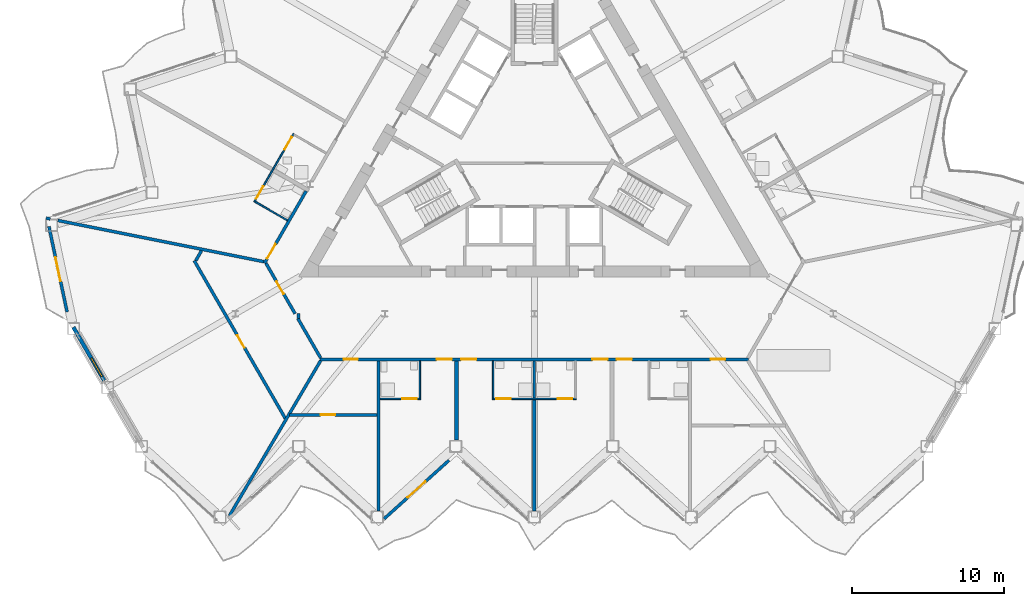
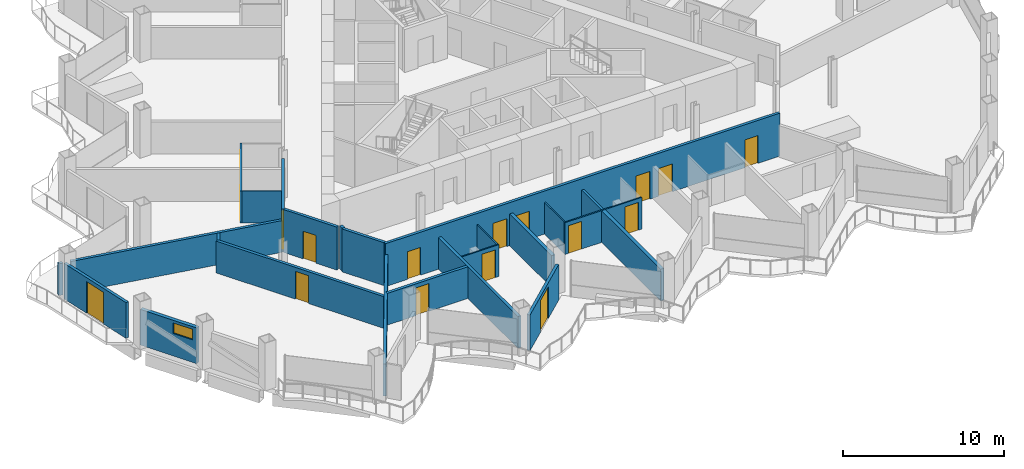
# One storey, part 10 of 23: 24 walls, 17 doors, 1 window, 18 openings.
"""IFC4 building model written with IfcOpenShell, lengths in metres."""

from ifc_helpers import new_model, si_unit, direction, frame, frame_2d, origin, place, context, subcontext, project, spatial, rectangle, extrude, material, layer, layer_set, type_object, element, fill, save


model = new_model("IFC4")

# Units and contexts
model_context = context("Model", 3, precision=1e-05, world=origin(), true_north=direction((0.0, 1.0)))
body_context = subcontext(model_context, "Body", "Model", "MODEL_VIEW")
ifc_project = project(units=[si_unit("LENGTHUNIT", "METRE"), si_unit("AREAUNIT", "SQUARE_METRE"), si_unit("VOLUMEUNIT", "CUBIC_METRE"), si_unit("PLANEANGLEUNIT", "RADIAN"), si_unit("MASSUNIT", "GRAM", prefix="KILO")], contexts=[model_context])

# Site, building, storey
site_placement = place(None, origin())
site = spatial("IfcSite", under=ifc_project, at=site_placement, CompositionType="ELEMENT")
building_placement = place(site_placement, origin())
building = spatial("IfcBuilding", under=site, at=building_placement, Name="Cormorant Prow Tower", CompositionType="ELEMENT")
storey_placement = place(building_placement, frame((0.0, 0.0, 169.199951171875)))
storey = spatial("IfcBuildingStorey", under=building, at=storey_placement, Name="L35", CompositionType="ELEMENT", Elevation=169.199951171875)

# Wall, openings, doors
ifc_material_1 = material(Name="Gypsum board corridor wall")
ifc_layer_1 = layer(ifc_material_1, 0.199951171875)
ifc_layer_set_1 = layer_set([ifc_layer_1], Name="Gypsum board corridor wall")
wall_type_1 = type_object("IfcWallType", Name="Corridor wall 200", PredefinedType="PARTITIONING", material=ifc_layer_set_1)
wall_1_placement = place(storey_placement, frame((-14.098876953125, -14.348876953125, 0.0), z_axis=(0.0, 0.0, 1.0), x_axis=(1.0, 0.0, 0.0)))
wall_1 = element("IfcWall", 1, at=wall_1_placement, inside=storey, type_object=wall_type_1, Name="Corridor wall", PredefinedType="PARTITIONING", context=body_context, shape_type="SweptSolid", body=[
    extrude(rectangle(XDim=28.19775390625, YDim=0.199951171875, at=frame_2d((14.098876953125, 0.0))), origin(), (0.0, 0.0, 1.0), 3.25),
])
opening_1_placement = place(wall_1_placement, frame((1.55224609375, 0.0, 0.0)))
opening_1 = element("IfcOpeningElement", 2, at=opening_1_placement, cuts=wall_1, Name="Opening L35-F01", PredefinedType="OPENING", context=body_context, shape_type="SweptSolid", body=[
    extrude(rectangle(XDim=0.949951171875, YDim=2.10009765625, at=frame_2d((0.47509765625, 1.050048828125))), frame((0.0, 0.10986328125, 0.0), z_axis=(0.0, -1.0, 0.0), x_axis=(1.0, 0.0, 0.0)), (0.0, 0.0, 1.0), 0.219970703125),
])
opening_2_placement = place(wall_1_placement, frame((7.67724609375, 0.0, 0.0)))
opening_2 = element("IfcOpeningElement", 3, at=opening_2_placement, cuts=wall_1, Name="Opening L35-F03", PredefinedType="OPENING", context=body_context, shape_type="SweptSolid", body=[
    extrude(rectangle(XDim=1.0, YDim=2.10009765625, at=frame_2d((0.5, 1.050048828125))), frame((0.0, 0.10986328125, 0.0), z_axis=(0.0, -1.0, 0.0), x_axis=(1.0, 0.0, 0.0)), (0.0, 0.0, 1.0), 0.219970703125),
])
opening_3_placement = place(wall_1_placement, frame((9.283203125, 0.0, 0.0)))
opening_3 = element("IfcOpeningElement", 4, at=opening_3_placement, cuts=wall_1, Name="Opening L35-F05", PredefinedType="OPENING", context=body_context, shape_type="SweptSolid", body=[
    extrude(rectangle(XDim=1.0, YDim=2.10009765625, at=frame_2d((0.5, 1.050048828125))), frame((0.0, 0.10986328125, 0.0), z_axis=(0.0, -1.0, 0.0), x_axis=(1.0, 0.0, 0.0)), (0.0, 0.0, 1.0), 0.219970703125),
])
opening_4_placement = place(wall_1_placement, frame((17.914794921875, 0.0, 0.0)))
opening_4 = element("IfcOpeningElement", 5, at=opening_4_placement, cuts=wall_1, Name="Opening L35-F07", PredefinedType="OPENING", context=body_context, shape_type="SweptSolid", body=[
    extrude(rectangle(XDim=1.0, YDim=2.10009765625, at=frame_2d((0.5, 1.050048828125))), frame((0.0, 0.10986328125, 0.0), z_axis=(0.0, -1.0, 0.0), x_axis=(1.0, 0.0, 0.0)), (0.0, 0.0, 1.0), 0.219970703125),
])
opening_5_placement = place(wall_1_placement, frame((19.5205078125, 0.0, 0.0)))
opening_5 = element("IfcOpeningElement", 6, at=opening_5_placement, cuts=wall_1, Name="Opening L35-F09", PredefinedType="OPENING", context=body_context, shape_type="SweptSolid", body=[
    extrude(rectangle(XDim=1.0, YDim=2.10009765625, at=frame_2d((0.5, 1.050048828125))), frame((0.0, 0.10986328125, 0.0), z_axis=(0.0, -1.0, 0.0), x_axis=(1.0, 0.0, 0.0)), (0.0, 0.0, 1.0), 0.219970703125),
])
opening_6_placement = place(wall_1_placement, frame((25.695556640625, 0.0, 0.0)))
opening_6 = element("IfcOpeningElement", 7, at=opening_6_placement, cuts=wall_1, Name="Opening L35-F11", PredefinedType="OPENING", context=body_context, shape_type="SweptSolid", body=[
    extrude(rectangle(XDim=0.949951171875, YDim=2.10009765625, at=frame_2d((0.47509765625, 1.050048828125))), frame((0.0, 0.10986328125, 0.0), z_axis=(0.0, -1.0, 0.0), x_axis=(1.0, 0.0, 0.0)), (0.0, 0.0, 1.0), 0.219970703125),
])
ifc_material_2 = material(Name="Timber door leaf", Category="wood")
door_type_1 = type_object("IfcDoorType", Name="Flat or room entrance door 1000x2100", OperationType="NOTDEFINED", PredefinedType="DOOR", material=ifc_material_2)
door_1_placement = place(opening_2_placement, origin())
door_1 = element("IfcDoor", 8, at=door_1_placement, inside=storey, type_object=door_type_1, Name="Guest room door", OperationType="SINGLE_SWING_RIGHT", OverallHeight=2.10009765625, OverallWidth=1.0, PredefinedType="DOOR", context=body_context, shape_type="SweptSolid", body=[
    extrude(rectangle(XDim=1.0, YDim=2.10009765625, at=frame_2d((0.5, 1.050048828125))), frame((0.0, 0.02490234375, 0.0), z_axis=(0.0, -1.0, 0.0), x_axis=(1.0, 0.0, 0.0)), (0.0, 0.0, 1.0), 0.050048828125),
])
fill(opening_2, door_1)
door_2_placement = place(opening_3_placement, origin())
door_2 = element("IfcDoor", 9, at=door_2_placement, inside=storey, type_object=door_type_1, Name="Guest room door", OperationType="SINGLE_SWING_LEFT", OverallHeight=2.10009765625, OverallWidth=1.0, PredefinedType="DOOR", context=body_context, shape_type="SweptSolid", body=[
    extrude(rectangle(XDim=1.0, YDim=2.10009765625, at=frame_2d((0.5, 1.050048828125))), frame((0.0, 0.02490234375, 0.0), z_axis=(0.0, -1.0, 0.0), x_axis=(1.0, 0.0, 0.0)), (0.0, 0.0, 1.0), 0.050048828125),
])
fill(opening_3, door_2)
door_3_placement = place(opening_4_placement, origin())
door_3 = element("IfcDoor", 10, at=door_3_placement, inside=storey, type_object=door_type_1, Name="Guest room door", OperationType="SINGLE_SWING_RIGHT", OverallHeight=2.10009765625, OverallWidth=1.0, PredefinedType="DOOR", context=body_context, shape_type="SweptSolid", body=[
    extrude(rectangle(XDim=1.0, YDim=2.10009765625, at=frame_2d((0.5, 1.050048828125))), frame((0.0, 0.02490234375, 0.0), z_axis=(0.0, -1.0, 0.0), x_axis=(1.0, 0.0, 0.0)), (0.0, 0.0, 1.0), 0.050048828125),
])
fill(opening_4, door_3)
door_4_placement = place(opening_5_placement, origin())
door_4 = element("IfcDoor", 11, at=door_4_placement, inside=storey, type_object=door_type_1, Name="Guest room door", OperationType="SINGLE_SWING_LEFT", OverallHeight=2.10009765625, OverallWidth=1.0, PredefinedType="DOOR", context=body_context, shape_type="SweptSolid", body=[
    extrude(rectangle(XDim=1.0, YDim=2.10009765625, at=frame_2d((0.5, 1.050048828125))), frame((0.0, 0.02490234375, 0.0), z_axis=(0.0, -1.0, 0.0), x_axis=(1.0, 0.0, 0.0)), (0.0, 0.0, 1.0), 0.050048828125),
])
fill(opening_5, door_4)
ifc_material_3 = material(Name="Timber door leaf", Category="wood")
door_type_2 = type_object("IfcDoorType", Name="Store door 950x2100", OperationType="NOTDEFINED", PredefinedType="DOOR", material=ifc_material_3)
door_5_placement = place(opening_1_placement, origin())
door_5 = element("IfcDoor", 12, at=door_5_placement, inside=storey, type_object=door_type_2, Name="Housekeeping room door", OperationType="SINGLE_SWING_LEFT", OverallHeight=2.10009765625, OverallWidth=0.949951171875, PredefinedType="DOOR", context=body_context, shape_type="SweptSolid", body=[
    extrude(rectangle(XDim=0.949951171875, YDim=2.10009765625, at=frame_2d((0.47509765625, 1.050048828125))), frame((0.0, 0.02490234375, 0.0), z_axis=(0.0, -1.0, 0.0), x_axis=(1.0, 0.0, 0.0)), (0.0, 0.0, 1.0), 0.050048828125),
])
fill(opening_1, door_5)
door_6_placement = place(opening_6_placement, origin())
door_6 = element("IfcDoor", 13, at=door_6_placement, inside=storey, type_object=door_type_2, Name="Luggage store door", OperationType="SINGLE_SWING_RIGHT", OverallHeight=2.10009765625, OverallWidth=0.949951171875, PredefinedType="DOOR", context=body_context, shape_type="SweptSolid", body=[
    extrude(rectangle(XDim=0.949951171875, YDim=2.10009765625, at=frame_2d((0.47509765625, 1.050048828125))), frame((0.0, 0.02490234375, 0.0), z_axis=(0.0, -1.0, 0.0), x_axis=(1.0, 0.0, 0.0)), (0.0, 0.0, 1.0), 0.050048828125),
])
fill(opening_6, door_6)

# Wall, opening, door
wall_2_placement = place(storey_placement, frame((-17.743896484375, -8.035400390625, 0.0), z_axis=(0.0, 0.0, 1.0), x_axis=(0.500007607708, 0.866021011428, 0.0)))
wall_2 = element("IfcWall", 14, at=wall_2_placement, inside=storey, type_object=wall_type_1, Name="Corridor wall", PredefinedType="PARTITIONING", context=body_context, shape_type="SweptSolid", body=[
    extrude(rectangle(XDim=5.484375, YDim=0.199951171875, at=frame_2d((2.7421875, 0.0))), origin(), (0.0, 0.0, 1.0), 3.25),
])
opening_7_placement = place(wall_2_placement, frame((0.352294921875, 0.0, 0.0)))
opening_7 = element("IfcOpeningElement", 15, at=opening_7_placement, cuts=wall_2, Name="Opening L35-F31", PredefinedType="OPENING", context=body_context, shape_type="SweptSolid", body=[
    extrude(rectangle(XDim=1.10009765625, YDim=2.10009765625, at=frame_2d((0.550048828125, 1.050048828125))), frame((0.0, 0.10986328125, 0.0), z_axis=(0.0, -1.0, 0.0), x_axis=(1.0, 0.0, 0.0)), (0.0, 0.0, 1.0), 0.219970703125),
])
ifc_material_4 = material(Name="Timber door leaf", Category="wood")
door_type_3 = type_object("IfcDoorType", Name="Suite entrance door 1100x2100", OperationType="NOTDEFINED", PredefinedType="DOOR", material=ifc_material_4)
door_7_placement = place(opening_7_placement, origin())
door_7 = element("IfcDoor", 16, at=door_7_placement, inside=storey, type_object=door_type_3, Name="Junior suite door", OperationType="SINGLE_SWING_LEFT", OverallHeight=2.10009765625, OverallWidth=1.10009765625, PredefinedType="DOOR", context=body_context, shape_type="SweptSolid", body=[
    extrude(rectangle(XDim=1.10009765625, YDim=2.10009765625, at=frame_2d((0.550048828125, 1.050048828125))), frame((0.0, 0.02490234375, 0.0), z_axis=(0.0, -1.0, 0.0), x_axis=(1.0, 0.0, 0.0)), (0.0, 0.0, 1.0), 0.050048828125),
])
fill(opening_7, door_7)

wall_3_placement = place(storey_placement, frame((-17.643798828125, -8.035400390625, 0.0), z_axis=(0.0, 0.0, 1.0), x_axis=(0.499961815444, -0.866047448526, 0.0)))
wall_3 = element("IfcWall", 17, at=wall_3_placement, inside=storey, type_object=wall_type_1, Name="Corridor wall", PredefinedType="PARTITIONING", context=body_context, shape_type="SweptSolid", body=[
    extrude(rectangle(XDim=3.825927734375, YDim=0.199951171875, at=frame_2d((1.9130859375, 0.0))), origin(), (0.0, 0.0, 1.0), 3.25),
])
opening_8_placement = place(wall_3_placement, frame((1.38623046875, 0.0, 0.0)))
opening_8 = element("IfcOpeningElement", 18, at=opening_8_placement, cuts=wall_3, Name="Opening L35-F33", PredefinedType="OPENING", context=body_context, shape_type="SweptSolid", body=[
    extrude(rectangle(XDim=0.949951171875, YDim=2.10009765625, at=frame_2d((0.47509765625, 1.050048828125))), frame((0.0, 0.10986328125, 0.0), z_axis=(0.0, -1.0, 0.0), x_axis=(1.0, 0.0, 0.0)), (0.0, 0.0, 1.0), 0.219970703125),
])
door_8_placement = place(opening_8_placement, origin())
door_8 = element("IfcDoor", 19, at=door_8_placement, inside=storey, type_object=door_type_2, Name="Housekeeping room door", OperationType="SINGLE_SWING_RIGHT", OverallHeight=2.10009765625, OverallWidth=0.949951171875, PredefinedType="DOOR", context=body_context, shape_type="SweptSolid", body=[
    extrude(rectangle(XDim=0.949951171875, YDim=2.10009765625, at=frame_2d((0.47509765625, 1.050048828125))), frame((0.0, 0.02490234375, 0.0), z_axis=(0.0, -1.0, 0.0), x_axis=(1.0, 0.0, 0.0)), (0.0, 0.0, 1.0), 0.050048828125),
])
fill(opening_8, door_8)

# Walls
wall_4_placement = place(storey_placement, frame((-15.550048828125, -11.662353515625, 0.0), z_axis=(0.0, 0.0, 1.0), x_axis=(0.500048608389, -0.865997337899, 0.0)))
element("IfcWall", 20, at=wall_4_placement, inside=storey, type_object=wall_type_1, Name="Corridor wall", PredefinedType="PARTITIONING", context=body_context, shape_type="SweptSolid", body=[
    extrude(rectangle(XDim=3.002197265625, YDim=0.199951171875, at=frame_2d((1.5009765625, 0.0))), origin(), (0.0, 0.0, 1.0), 3.25),
])
wall_5_placement = place(storey_placement, frame((-15.5, -11.64892578125, 0.0), z_axis=(0.0, 0.0, 1.0), x_axis=(0.0, 1.0, 0.0)))
element("IfcWall", 21, at=wall_5_placement, inside=storey, type_object=wall_type_1, Name="Corridor wall", PredefinedType="PARTITIONING", context=body_context, shape_type="SweptSolid", body=[
    extrude(rectangle(XDim=0.31005859375, YDim=0.199951171875, at=frame_2d((0.155029296875, 0.0))), origin(), (0.0, 0.0, 1.0), 3.25),
])
ifc_material_5 = material(Name="Gypsum board demising wall")
ifc_layer_2 = layer(ifc_material_5, 0.199951171875)
ifc_layer_set_2 = layer_set([ifc_layer_2], Name="Gypsum board demising wall")
wall_type_2 = type_object("IfcWallType", Name="Demising wall 200", PredefinedType="PARTITIONING", material=ifc_layer_set_2)
wall_6_placement = place(storey_placement, frame((-31.3291015625, -5.220703125, 0.0), z_axis=(0.0, 0.0, 1.0), x_axis=(0.980565709097, -0.196190953266, 0.0)))
element("IfcWall", 22, at=wall_6_placement, inside=storey, type_object=wall_type_2, Name="Demising wall", PredefinedType="PARTITIONING", context=body_context, shape_type="SweptSolid", body=[
    extrude(rectangle(XDim=13.805419921875, YDim=0.199951171875, at=frame_2d((6.90283203125, 0.0))), origin(), (0.0, 0.0, 1.0), 2.404296875),
])
wall_7_placement = place(storey_placement, frame((-20.046142578125, -24.632080078125, 0.0), z_axis=(0.0, 0.0, 1.0), x_axis=(0.50691549935, 0.86199575203, 0.0)))
element("IfcWall", 23, at=wall_7_placement, inside=storey, type_object=wall_type_2, Name="Demising wall", PredefinedType="PARTITIONING", context=body_context, shape_type="SweptSolid", body=[
    extrude(rectangle(XDim=11.82958984375, YDim=0.199951171875, at=frame_2d((5.914794921875, 0.0))), origin(), (0.0, 0.0, 1.0), 2.404296875),
])

# Wall, opening, door
wall_8_placement = place(storey_placement, frame((-22.36279296875, -7.8623046875, 0.0), z_axis=(0.0, 0.0, 1.0), x_axis=(0.500009728207, -0.866019787128, 0.0)))
wall_8 = element("IfcWall", 24, at=wall_8_placement, inside=storey, type_object=wall_type_2, Name="Demising wall", PredefinedType="PARTITIONING", context=body_context, shape_type="SweptSolid", body=[
    extrude(rectangle(XDim=11.966552734375, YDim=0.199951171875, at=frame_2d((5.9833984375, 0.0))), origin(), (0.0, 0.0, 1.0), 2.404296875),
])
opening_9_placement = place(wall_8_placement, frame((5.658447265625, 0.0, 0.0)))
opening_9 = element("IfcOpeningElement", 25, at=opening_9_placement, cuts=wall_8, Name="Opening L35-F34", PredefinedType="OPENING", context=body_context, shape_type="SweptSolid", body=[
    extrude(rectangle(XDim=0.949951171875, YDim=2.10009765625, at=frame_2d((0.47509765625, 1.050048828125))), frame((0.0, 0.10986328125, 0.0), z_axis=(0.0, -1.0, 0.0), x_axis=(1.0, 0.0, 0.0)), (0.0, 0.0, 1.0), 0.219970703125),
])
door_9_placement = place(opening_9_placement, origin())
door_9 = element("IfcDoor", 26, at=door_9_placement, inside=storey, type_object=door_type_2, Name="Ice and vending room door", OperationType="SINGLE_SWING_LEFT", OverallHeight=2.10009765625, OverallWidth=0.949951171875, PredefinedType="DOOR", context=body_context, shape_type="SweptSolid", body=[
    extrude(rectangle(XDim=0.949951171875, YDim=2.10009765625, at=frame_2d((0.47509765625, 1.050048828125))), frame((0.0, 0.02490234375, 0.0), z_axis=(0.0, -1.0, 0.0), x_axis=(1.0, 0.0, 0.0)), (0.0, 0.0, 1.0), 0.050048828125),
])
fill(opening_9, door_9)

# Wall
wall_9_placement = place(storey_placement, frame((-10.2314453125, -24.3115234375, 0.0), z_axis=(0.0, 0.0, 1.0), x_axis=(0.0, 1.0, 0.0)))
element("IfcWall", 27, at=wall_9_placement, inside=storey, type_object=wall_type_2, Name="Demising wall", PredefinedType="PARTITIONING", context=body_context, shape_type="SweptSolid", body=[
    extrude(rectangle(XDim=9.862548828125, YDim=0.199951171875, at=frame_2d((4.93115234375, 0.0))), origin(), (0.0, 0.0, 1.0), 2.404296875),
])

# Wall, opening, door
wall_10_placement = place(storey_placement, frame((-16.106201171875, -17.998779296875, 0.0), z_axis=(0.0, 0.0, 1.0), x_axis=(1.0, 0.0, 0.0)))
wall_10 = element("IfcWall", 28, at=wall_10_placement, inside=storey, type_object=wall_type_2, Name="Demising wall", PredefinedType="PARTITIONING", context=body_context, shape_type="SweptSolid", body=[
    extrude(rectangle(XDim=5.77490234375, YDim=0.199951171875, at=frame_2d((2.887451171875, 0.0))), origin(), (0.0, 0.0, 1.0), 2.404296875),
])
opening_10_placement = place(wall_10_placement, frame((2.060302734375, 0.0, 0.0)))
opening_10 = element("IfcOpeningElement", 29, at=opening_10_placement, cuts=wall_10, Name="Opening L35-F02", PredefinedType="OPENING", context=body_context, shape_type="SweptSolid", body=[
    extrude(rectangle(XDim=0.949951171875, YDim=2.10009765625, at=frame_2d((0.47509765625, 1.050048828125))), frame((0.0, 0.10986328125, 0.0), z_axis=(0.0, -1.0, 0.0), x_axis=(1.0, 0.0, 0.0)), (0.0, 0.0, 1.0), 0.219970703125),
])
door_10_placement = place(opening_10_placement, origin())
door_10 = element("IfcDoor", 30, at=door_10_placement, inside=storey, type_object=door_type_2, Name="Linen store door", OperationType="SINGLE_SWING_LEFT", OverallHeight=2.10009765625, OverallWidth=0.949951171875, PredefinedType="DOOR", context=body_context, shape_type="SweptSolid", body=[
    extrude(rectangle(XDim=0.949951171875, YDim=2.10009765625, at=frame_2d((0.47509765625, 1.050048828125))), frame((0.0, 0.02490234375, 0.0), z_axis=(0.0, -1.0, 0.0), x_axis=(1.0, 0.0, 0.0)), (0.0, 0.0, 1.0), 0.050048828125),
])
fill(opening_10, door_10)

# Walls
wall_11_placement = place(storey_placement, frame((-22.2626953125, -7.8623046875, 0.0), z_axis=(0.0, 0.0, 1.0), x_axis=(0.499852814723, 0.866110364569, 0.0)))
element("IfcWall", 31, at=wall_11_placement, inside=storey, type_object=wall_type_2, Name="Demising wall", PredefinedType="PARTITIONING", context=body_context, shape_type="SweptSolid", body=[
    extrude(rectangle(XDim=0.756591796875, YDim=0.199951171875, at=frame_2d((0.37841796875, 0.0))), origin(), (0.0, 0.0, 1.0), 2.404296875),
])
wall_12_placement = place(storey_placement, frame((-32.1025390625, -5.06591796875, 0.0), z_axis=(0.0, 0.0, 1.0), x_axis=(0.980512850695, -0.19645495571, 0.0)))
element("IfcWall", 32, at=wall_12_placement, inside=storey, type_object=wall_type_2, Name="Demising wall", PredefinedType="PARTITIONING", context=body_context, shape_type="SweptSolid", body=[
    extrude(rectangle(XDim=0.277099609375, YDim=0.199951171875, at=frame_2d((0.138671875, 0.0))), origin(), (0.0, 0.0, 1.0), 2.404296875),
])

# Wall, openings, doors
ifc_material_6 = material(Name="Gypsum board partition")
ifc_layer_3 = layer(ifc_material_6, 0.10009765625)
ifc_layer_set_3 = layer_set([ifc_layer_3], Name="Gypsum board partition")
wall_type_3 = type_object("IfcWallType", Name="Internal partition 100", PredefinedType="PARTITIONING", material=ifc_layer_set_3)
wall_13_placement = place(storey_placement, frame((-2.75, -16.948974609375, 0.0), z_axis=(0.0, 0.0, 1.0), x_axis=(1.0, 0.0, 0.0)))
wall_13 = element("IfcWall", 33, at=wall_13_placement, inside=storey, type_object=wall_type_3, Name="Internal partition", PredefinedType="PARTITIONING", context=body_context, shape_type="SweptSolid", body=[
    extrude(rectangle(XDim=5.5, YDim=0.10009765625, at=frame_2d((2.75, 0.0))), origin(), (0.0, 0.0, 1.0), 2.404296875),
])
opening_11_placement = place(wall_13_placement, frame((0.25, 0.0, 0.0)))
opening_11 = element("IfcOpeningElement", 34, at=opening_11_placement, cuts=wall_13, Name="Opening L35-F06", PredefinedType="OPENING", context=body_context, shape_type="SweptSolid", body=[
    extrude(rectangle(XDim=0.949951171875, YDim=2.10009765625, at=frame_2d((0.47509765625, 1.050048828125))), frame((0.0, 0.06005859375, 0.0), z_axis=(0.0, -1.0, 0.0), x_axis=(1.0, 0.0, 0.0)), (0.0, 0.0, 1.0), 0.1201171875),
])
opening_12_placement = place(wall_13_placement, frame((4.300048828125, 0.0, 0.0)))
opening_12 = element("IfcOpeningElement", 35, at=opening_12_placement, cuts=wall_13, Name="Opening L35-F08", PredefinedType="OPENING", context=body_context, shape_type="SweptSolid", body=[
    extrude(rectangle(XDim=0.949951171875, YDim=2.10009765625, at=frame_2d((0.47509765625, 1.050048828125))), frame((0.0, 0.06005859375, 0.0), z_axis=(0.0, -1.0, 0.0), x_axis=(1.0, 0.0, 0.0)), (0.0, 0.0, 1.0), 0.1201171875),
])
ifc_material_7 = material(Name="Timber door leaf", Category="wood")
door_type_4 = type_object("IfcDoorType", Name="Bathroom door 950x2100", OperationType="NOTDEFINED", PredefinedType="DOOR", material=ifc_material_7)
door_11_placement = place(opening_11_placement, origin())
door_11 = element("IfcDoor", 36, at=door_11_placement, inside=storey, type_object=door_type_4, Name="Guest room door", OperationType="SINGLE_SWING_LEFT", OverallHeight=2.10009765625, OverallWidth=0.949951171875, PredefinedType="DOOR", context=body_context, shape_type="SweptSolid", body=[
    extrude(rectangle(XDim=0.949951171875, YDim=2.10009765625, at=frame_2d((0.47509765625, 1.050048828125))), frame((0.0, 0.02490234375, 0.0), z_axis=(0.0, -1.0, 0.0), x_axis=(1.0, 0.0, 0.0)), (0.0, 0.0, 1.0), 0.050048828125),
])
fill(opening_11, door_11)
door_12_placement = place(opening_12_placement, origin())
door_12 = element("IfcDoor", 37, at=door_12_placement, inside=storey, type_object=door_type_4, Name="Guest room door", OperationType="SINGLE_SWING_RIGHT", OverallHeight=2.10009765625, OverallWidth=0.949951171875, PredefinedType="DOOR", context=body_context, shape_type="SweptSolid", body=[
    extrude(rectangle(XDim=0.949951171875, YDim=2.10009765625, at=frame_2d((0.47509765625, 1.050048828125))), frame((0.0, 0.02490234375, 0.0), z_axis=(0.0, -1.0, 0.0), x_axis=(1.0, 0.0, 0.0)), (0.0, 0.0, 1.0), 0.050048828125),
])
fill(opening_12, door_12)

wall_14_placement = place(storey_placement, frame((-18.4208984375, -4.008056640625, 0.0), z_axis=(0.0, 0.0, 1.0), x_axis=(0.500006934395, 0.866021400173, 0.0)))
wall_14 = element("IfcWall", 38, at=wall_14_placement, inside=storey, type_object=wall_type_3, Name="Internal partition", PredefinedType="PARTITIONING", context=body_context, shape_type="SweptSolid", body=[
    extrude(rectangle(XDim=5.2001953125, YDim=0.10009765625, at=frame_2d((2.60009765625, 0.0))), origin(), (0.0, 0.0, 1.0), 2.404296875),
])
opening_13_placement = place(wall_14_placement, frame((4.0, 0.0, 0.0)))
opening_13 = element("IfcOpeningElement", 39, at=opening_13_placement, cuts=wall_14, Name="Opening L35-F30", PredefinedType="OPENING", context=body_context, shape_type="SweptSolid", body=[
    extrude(rectangle(XDim=0.949951171875, YDim=2.10009765625, at=frame_2d((0.47509765625, 1.050048828125))), frame((0.0, 0.06005859375, 0.0), z_axis=(0.0, -1.0, 0.0), x_axis=(1.0, 0.0, 0.0)), (0.0, 0.0, 1.0), 0.1201171875),
])
opening_14_placement = place(wall_14_placement, frame((0.25, 0.0, 0.0)))
opening_14 = element("IfcOpeningElement", 40, at=opening_14_placement, cuts=wall_14, Name="Opening L35-F32", PredefinedType="OPENING", context=body_context, shape_type="SweptSolid", body=[
    extrude(rectangle(XDim=0.949951171875, YDim=2.10009765625, at=frame_2d((0.47509765625, 1.050048828125))), frame((0.0, 0.06005859375, 0.0), z_axis=(0.0, -1.0, 0.0), x_axis=(1.0, 0.0, 0.0)), (0.0, 0.0, 1.0), 0.1201171875),
])
door_13_placement = place(opening_13_placement, origin())
door_13 = element("IfcDoor", 41, at=door_13_placement, inside=storey, type_object=door_type_4, Name="Guest room door", OperationType="SINGLE_SWING_RIGHT", OverallHeight=2.10009765625, OverallWidth=0.949951171875, PredefinedType="DOOR", context=body_context, shape_type="SweptSolid", body=[
    extrude(rectangle(XDim=0.949951171875, YDim=2.10009765625, at=frame_2d((0.47509765625, 1.050048828125))), frame((0.0, 0.02490234375, 0.0), z_axis=(0.0, -1.0, 0.0), x_axis=(1.0, 0.0, 0.0)), (0.0, 0.0, 1.0), 0.050048828125),
])
fill(opening_13, door_13)
door_14_placement = place(opening_14_placement, origin())
door_14 = element("IfcDoor", 42, at=door_14_placement, inside=storey, type_object=door_type_4, Name="Junior suite door", OperationType="SINGLE_SWING_LEFT", OverallHeight=2.10009765625, OverallWidth=0.949951171875, PredefinedType="DOOR", context=body_context, shape_type="SweptSolid", body=[
    extrude(rectangle(XDim=0.949951171875, YDim=2.10009765625, at=frame_2d((0.47509765625, 1.050048828125))), frame((0.0, 0.02490234375, 0.0), z_axis=(0.0, -1.0, 0.0), x_axis=(1.0, 0.0, 0.0)), (0.0, 0.0, 1.0), 0.050048828125),
])
fill(opening_14, door_14)

# Wall, opening, door
wall_15_placement = place(storey_placement, frame((-10.13134765625, -16.948974609375, 0.0), z_axis=(0.0, 0.0, 1.0), x_axis=(1.0, 0.0, 0.0)))
wall_15 = element("IfcWall", 43, at=wall_15_placement, inside=storey, type_object=wall_type_3, Name="Internal partition", PredefinedType="PARTITIONING", context=body_context, shape_type="SweptSolid", body=[
    extrude(rectangle(XDim=2.64990234375, YDim=0.10009765625, at=frame_2d((1.324951171875, 0.0))), origin(), (0.0, 0.0, 1.0), 2.404296875),
])
opening_15_placement = place(wall_15_placement, frame((1.449951171875, 0.0, 0.0)))
opening_15 = element("IfcOpeningElement", 44, at=opening_15_placement, cuts=wall_15, Name="Opening L35-F04", PredefinedType="OPENING", context=body_context, shape_type="SweptSolid", body=[
    extrude(rectangle(XDim=0.949951171875, YDim=2.10009765625, at=frame_2d((0.47509765625, 1.050048828125))), frame((0.0, 0.06005859375, 0.0), z_axis=(0.0, -1.0, 0.0), x_axis=(1.0, 0.0, 0.0)), (0.0, 0.0, 1.0), 0.1201171875),
])
door_15_placement = place(opening_15_placement, origin())
door_15 = element("IfcDoor", 45, at=door_15_placement, inside=storey, type_object=door_type_4, Name="Guest room door", OperationType="SINGLE_SWING_RIGHT", OverallHeight=2.10009765625, OverallWidth=0.949951171875, PredefinedType="DOOR", context=body_context, shape_type="SweptSolid", body=[
    extrude(rectangle(XDim=0.949951171875, YDim=2.10009765625, at=frame_2d((0.47509765625, 1.050048828125))), frame((0.0, 0.02490234375, 0.0), z_axis=(0.0, -1.0, 0.0), x_axis=(1.0, 0.0, 0.0)), (0.0, 0.0, 1.0), 0.050048828125),
])
fill(opening_15, door_15)

# Walls
for number, where, z_axis, x_axis, name in (
    (46, (-18.3525390625, -3.98974609375, 0.0), (0.0, 0.0, 1.0), (0.866057815567, -0.499943856944, 0.0), "Internal partition"),
    (47, (-7.531494140625, -16.89892578125, 0.0), (0.0, 0.0, 1.0), (0.0, 1.0, 0.0), "Internal partition"),
    (48, (-2.699951171875, -16.89892578125, 0.0), (0.0, 0.0, 1.0), (0.0, 1.0, 0.0), "Internal partition"),
):
    element("IfcWall", number, at=place(storey_placement, frame(where, z_axis=z_axis, x_axis=x_axis)), inside=storey, type_object=wall_type_3, Name=name, PredefinedType="PARTITIONING", context=body_context, shape_type="SweptSolid", body=[
        extrude(rectangle(XDim=2.449951171875, YDim=0.10009765625, at=frame_2d((1.22509765625, 0.0))), origin(), (0.0, 0.0, 1.0), 2.404296875),
    ])
ifc_material_8 = material(Name="Acoustic gypsum party wall")
ifc_layer_4 = layer(ifc_material_8, 0.25)
ifc_layer_set_4 = layer_set([ifc_layer_4], Name="Acoustic gypsum party wall")
wall_type_4 = type_object("IfcWallType", Name="Suite party wall 250", PredefinedType="PARTITIONING", material=ifc_layer_set_4)
wall_16_placement = place(storey_placement, frame((0.0, -24.3115234375, 0.0), z_axis=(0.0, 0.0, 1.0), x_axis=(0.0, 1.0, 0.0)))
element("IfcWall", 49, at=wall_16_placement, inside=storey, type_object=wall_type_4, Name="Suite party wall", PredefinedType="PARTITIONING", context=body_context, shape_type="SweptSolid", body=[
    extrude(rectangle(XDim=7.312744140625, YDim=0.25, at=frame_2d((3.65625, 0.0))), origin(), (0.0, 0.0, 1.0), 2.404296875),
])
wall_17_placement = place(storey_placement, frame((-5.11572265625, -19.661376953125, 0.0), z_axis=(0.0, 0.0, 1.0), x_axis=(0.0, 1.0, 0.0)))
element("IfcWall", 50, at=wall_17_placement, inside=storey, type_object=wall_type_4, Name="Suite party wall", PredefinedType="PARTITIONING", context=body_context, shape_type="SweptSolid", body=[
    extrude(rectangle(XDim=5.21240234375, YDim=0.25, at=frame_2d((2.606201171875, 0.0))), origin(), (0.0, 0.0, 1.0), 2.404296875),
])

# Wall, opening, window
ifc_material_9 = material(Name="Terracotta", Category="masonry")
ifc_layer_5 = layer(ifc_material_9, 0.25)
ifc_layer_set_5 = layer_set([ifc_layer_5], Name="Terracotta")
wall_type_5 = type_object("IfcWallType", Name="Terracotta bay wall 250", PredefinedType="SOLIDWALL", material=ifc_layer_set_5)
wall_18_placement = place(storey_placement, frame((-30.310302734375, -12.23876953125, 0.0), z_axis=(0.0, 0.0, 1.0), x_axis=(0.500005680777, -0.866022123962, 0.0)))
wall_18 = element("IfcWall", 51, at=wall_18_placement, inside=storey, type_object=wall_type_5, Name="Terracotta bay wall WSW00", PredefinedType="SOLIDWALL", context=body_context, shape_type="SweptSolid", body=[
    extrude(rectangle(XDim=4.05419921875, YDim=0.25, at=frame_2d((2.027099609375, 0.0))), origin(), (0.0, 0.0, 1.0), 2.700927734375),
])
opening_16_placement = place(wall_18_placement, frame((2.35009765625, 0.0, 1.699951171875)))
opening_16 = element("IfcOpeningElement", 52, at=opening_16_placement, cuts=wall_18, Name="Opening WN3", PredefinedType="OPENING", context=body_context, shape_type="SweptSolid", body=[
    extrude(rectangle(XDim=1.39990234375, YDim=0.800048828125, at=frame_2d((0.699951171875, 0.39990234375))), frame((0.0, 0.135009765625, 0.0), z_axis=(0.0, -1.0, 0.0), x_axis=(1.0, 0.0, 0.0)), (0.0, 0.0, 1.0), 0.27001953125),
])
ifc_material_10 = material(Name="Aluminium 6063-T6", Category="aluminium")
window_type = type_object("IfcWindowType", Name="Corner bay window 1400x800", PartitioningType="SINGLE_PANEL", PredefinedType="WINDOW", material=ifc_material_10)
window_placement = place(opening_16_placement, origin())
window = element("IfcWindow", 53, at=window_placement, inside=storey, type_object=window_type, Name="Corner bay window WSW00", OverallHeight=0.800048828125, OverallWidth=1.39990234375, PartitioningType="SINGLE_PANEL", PredefinedType="WINDOW", context=body_context, shape_type="SweptSolid", body=[
    extrude(rectangle(XDim=1.39990234375, YDim=0.800048828125, at=frame_2d((0.699951171875, 0.39990234375))), frame((0.0, 0.030029296875, 0.0), z_axis=(0.0, -1.0, 0.0), x_axis=(1.0, 0.0, 0.0)), (0.0, 0.0, 1.0), 0.06005859375),
])
fill(opening_16, window)

# Wall, opening, door
ifc_material_11 = material(Name="Terracotta", Category="masonry")
ifc_layer_6 = layer(ifc_material_11, 0.199951171875)
ifc_layer_set_6 = layer_set([ifc_layer_6], Name="Terracotta")
wall_type_6 = type_object("IfcWallType", Name="Terracotta jamb wall 200", PredefinedType="SOLIDWALL", material=ifc_layer_set_6)
wall_19_placement = place(storey_placement, frame((-9.876220703125, -24.836181640625, 0.0), z_axis=(0.0, 0.0, 1.0), x_axis=(0.74315473474, 0.669119600844, 0.0)))
wall_19 = element("IfcWall", 54, at=wall_19_placement, inside=storey, type_object=wall_type_6, Name="Terracotta jamb wall S03", PredefinedType="SOLIDWALL", context=body_context, shape_type="SweptSolid", body=[
    extrude(rectangle(XDim=5.747802734375, YDim=0.199951171875, at=frame_2d((2.8740234375, 0.0))), origin(), (0.0, 0.0, 1.0), 2.700927734375),
])
opening_17_placement = place(wall_19_placement, frame((2.073974609375, 0.0, 0.0)))
opening_17 = element("IfcOpeningElement", 55, at=opening_17_placement, cuts=wall_19, Name="Opening ED35.02", PredefinedType="OPENING", context=body_context, shape_type="SweptSolid", body=[
    extrude(rectangle(XDim=1.60009765625, YDim=2.39990234375, at=frame_2d((0.800048828125, 1.199951171875))), frame((0.0, 0.10986328125, 0.0), z_axis=(0.0, -1.0, 0.0), x_axis=(1.0, 0.0, 0.0)), (0.0, 0.0, 1.0), 0.219970703125),
])
ifc_material_12 = material(Name="Aluminium 6063-T6", Category="aluminium")
door_type_5 = type_object("IfcDoorType", Name="Balcony door 1600x2400", OperationType="DOUBLE_DOOR_SINGLE_SWING", PredefinedType="DOOR", material=ifc_material_12)
door_16_placement = place(opening_17_placement, origin())
door_16 = element("IfcDoor", 56, at=door_16_placement, inside=storey, type_object=door_type_5, Name="Balcony door S03 ED35.02", OperationType="DOUBLE_DOOR_SINGLE_SWING", OverallHeight=2.39990234375, OverallWidth=1.60009765625, PredefinedType="DOOR", context=body_context, shape_type="SweptSolid", body=[
    extrude(rectangle(XDim=1.60009765625, YDim=2.39990234375, at=frame_2d((0.800048828125, 1.199951171875))), frame((0.0, 0.02490234375, 0.0), z_axis=(0.0, -1.0, 0.0), x_axis=(1.0, 0.0, 0.0)), (0.0, 0.0, 1.0), 0.050048828125),
])
fill(opening_17, door_16)

wall_20_placement = place(storey_placement, frame((-31.917724609375, -5.61083984375, 0.0), z_axis=(0.0, 0.0, 1.0), x_axis=(0.207913110781, -0.97814729891, 0.0)))
wall_20 = element("IfcWall", 57, at=wall_20_placement, inside=storey, type_object=wall_type_6, Name="Terracotta jamb wall WNW09", PredefinedType="SOLIDWALL", context=body_context, shape_type="SweptSolid", body=[
    extrude(rectangle(XDim=5.747802734375, YDim=0.199951171875, at=frame_2d((2.8740234375, 0.0))), origin(), (0.0, 0.0, 1.0), 2.700927734375),
])
opening_18_placement = place(wall_20_placement, frame((2.073974609375, 0.0, 0.0)))
opening_18 = element("IfcOpeningElement", 58, at=opening_18_placement, cuts=wall_20, Name="Opening ED35.15", PredefinedType="OPENING", context=body_context, shape_type="SweptSolid", body=[
    extrude(rectangle(XDim=1.60009765625, YDim=2.39990234375, at=frame_2d((0.800048828125, 1.199951171875))), frame((0.0, 0.10986328125, 0.0), z_axis=(0.0, -1.0, 0.0), x_axis=(1.0, 0.0, 0.0)), (0.0, 0.0, 1.0), 0.219970703125),
])
door_17_placement = place(opening_18_placement, origin())
door_17 = element("IfcDoor", 59, at=door_17_placement, inside=storey, type_object=door_type_5, Name="Balcony door WNW09 ED35.15", OperationType="DOUBLE_DOOR_SINGLE_SWING", OverallHeight=2.39990234375, OverallWidth=1.60009765625, PredefinedType="DOOR", context=body_context, shape_type="SweptSolid", body=[
    extrude(rectangle(XDim=1.60009765625, YDim=2.39990234375, at=frame_2d((0.800048828125, 1.199951171875))), frame((0.0, 0.02490234375, 0.0), z_axis=(0.0, -1.0, 0.0), x_axis=(1.0, 0.0, 0.0)), (0.0, 0.0, 1.0), 0.050048828125),
])
fill(opening_18, door_17)

# Wall
ifc_material_13 = material(Name="Plasterboard wet wall with pipe chase")
ifc_layer_7 = layer(ifc_material_13, 0.14990234375)
ifc_layer_set_7 = layer_set([ifc_layer_7], Name="Plasterboard wet wall with pipe chase")
wall_type_7 = type_object("IfcWallType", Name="Wet wall 150", PredefinedType="PLUMBINGWALL", material=ifc_layer_set_7)
wall_21_placement = place(storey_placement, frame((0.0, -16.89892578125, 0.0), z_axis=(0.0, 0.0, 1.0), x_axis=(0.0, 1.0, 0.0)))
element("IfcWall", 60, at=wall_21_placement, inside=storey, type_object=wall_type_7, Name="Wet wall", PredefinedType="PLUMBINGWALL", context=body_context, shape_type="SweptSolid", body=[
    extrude(rectangle(XDim=2.449951171875, YDim=0.14990234375, at=frame_2d((1.22509765625, 0.0))), origin(), (0.0, 0.0, 1.0), 2.404296875),
])

save(model, "model.ifc")
